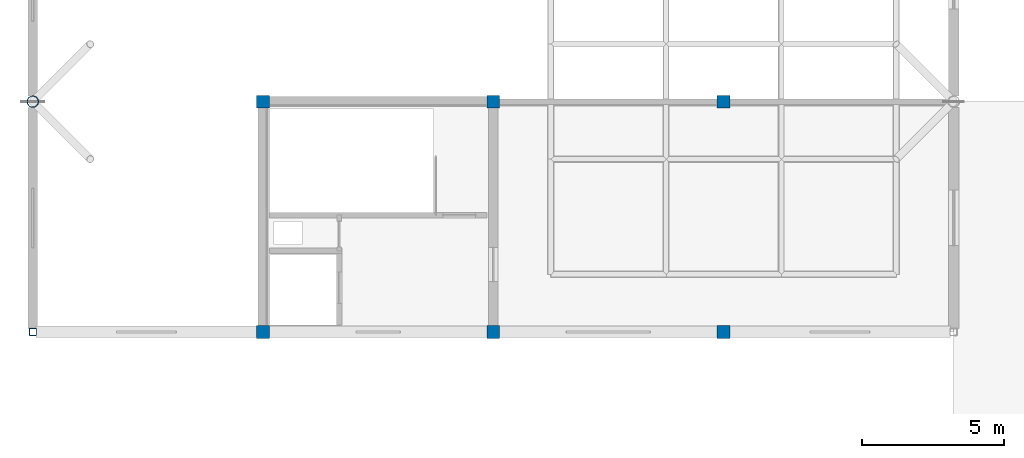
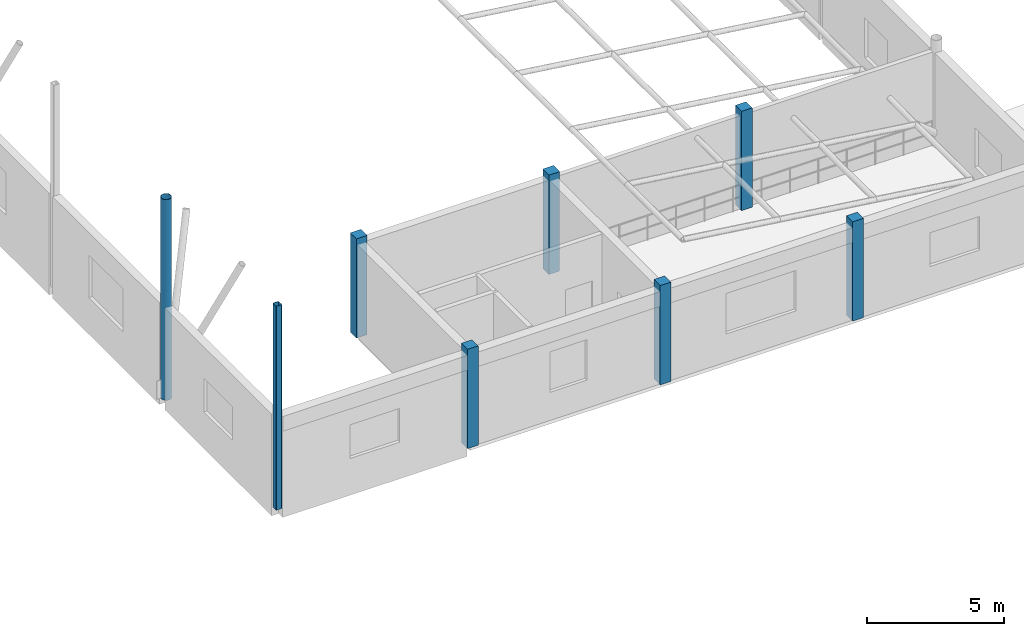
# One storey, part 2 of 89: 8 columns.
"""IFC4 building model written with IfcOpenShell, lengths in metres."""

from ifc_helpers import new_model, si_unit, direction, frame, origin, origin_2d, place, context, subcontext, project, spatial, rectangle, hollow_rectangle, hollow_circle, extrude, material, material_profile, profile_set, type_object, element, save


model = new_model("IFC4")

# Units and contexts
model_context = context("Model", 3, precision=1e-05, world=origin(), true_north=direction((0.0, 1.0)))
body_context = subcontext(model_context, "Body", "Model", "MODEL_VIEW")
ifc_project = project(units=[si_unit("LENGTHUNIT", "METRE"), si_unit("AREAUNIT", "SQUARE_METRE"), si_unit("VOLUMEUNIT", "CUBIC_METRE"), si_unit("PLANEANGLEUNIT", "RADIAN"), si_unit("MASSUNIT", "GRAM", prefix="KILO")], contexts=[model_context])

# Site, building, storey
site_placement = place(None, origin())
site = spatial("IfcSite", under=ifc_project, at=site_placement, CompositionType="ELEMENT")
building_placement = place(site_placement, origin())
building = spatial("IfcBuilding", under=site, at=building_placement, Name="Vaudrelin Polytechnic", CompositionType="ELEMENT")
storey_placement = place(building_placement, frame((0.0, 0.0, 9.68994140625)))
storey = spatial("IfcBuildingStorey", under=building, at=storey_placement, Name="L02", CompositionType="ELEMENT", Elevation=9.68994140625)

# Columns
ifc_material_1 = material(Name="Steel CSA G40.21 350W", Category="steel")
ifc_material_profile_1 = material_profile(ifc_material_1, hollow_rectangle(XDim=0.25390625, YDim=0.25390625, WallThickness=0.0126953125, InnerFilletRadius=0.0126953125, OuterFilletRadius=0.025390625, at=origin_2d()), Name="HSS254x254x12.7")
ifc_profile_set_1 = profile_set([ifc_material_profile_1], Name="Steel CSA G40.21 350W")
column_type_1 = type_object("IfcColumnType", Name="COL-C-HSS254", PredefinedType="COLUMN", material=ifc_profile_set_1)
column_1_placement = place(storey_placement, frame((0.0, 40.5, 0.0), z_axis=(0.0, 0.0, 1.0), x_axis=(1.0, 0.0, 0.0)))
element("IfcColumn", 1, at=column_1_placement, inside=storey, type_object=column_type_1, Name="Workshop roof perimeter post 0-5", PredefinedType="COLUMN", context=body_context, shape_type="SweptSolid", body=[
    extrude(hollow_rectangle(XDim=0.25390625, YDim=0.25390625, WallThickness=0.0126953125, InnerFilletRadius=0.0126953125, OuterFilletRadius=0.025390625, at=origin_2d()), origin(), (0.0, 0.0, 1.0), 9.065673828125),
])
ifc_material_2 = material(Name="Concrete 40 MPa", Category="concrete")
ifc_material_profile_2 = material_profile(ifc_material_2, rectangle(XDim=0.449951171875, YDim=0.449951171875, at=origin_2d()), Name="RC450x450")
ifc_profile_set_2 = profile_set([ifc_material_profile_2], Name="Concrete 40 MPa")
column_type_2 = type_object("IfcColumnType", Name="COL-C-RC450", PredefinedType="COLUMN", material=ifc_profile_set_2)
for number, where, z_axis, x_axis, name in (
    (2, (8.10009765625, 40.5, 0.0), (0.0, 0.0, 1.0), (1.0, 0.0, 0.0), "Column L02 2-6"),
    (3, (8.10009765625, 48.60009765625, 0.0), (0.0, 0.0, 1.0), (1.0, 0.0, 0.0), "Column L02 2-7"),
    (4, (16.199951171875, 40.5, 0.0), (0.0, 0.0, 1.0), (1.0, 0.0, 0.0), "Column L02 3-6"),
    (5, (16.199951171875, 48.60009765625, 0.0), (0.0, 0.0, 1.0), (1.0, 0.0, 0.0), "Column L02 3-7"),
    (6, (24.300048828125, 40.5, 0.0), (0.0, 0.0, 1.0), (1.0, 0.0, 0.0), "Column L02 4-6"),
    (7, (24.300048828125, 48.60009765625, 0.0), (0.0, 0.0, 1.0), (1.0, 0.0, 0.0), "Column L02 4-7"),
):
    element("IfcColumn", number, at=place(storey_placement, frame(where, z_axis=z_axis, x_axis=x_axis)), inside=storey, type_object=column_type_2, Name=name, PredefinedType="COLUMN", context=body_context, shape_type="SweptSolid", body=[
        extrude(rectangle(XDim=0.449951171875, YDim=0.449951171875, at=origin_2d()), origin(), (0.0, 0.0, 1.0), 4.420166015625),
    ])
ifc_material_3 = material(Name="Steel CSA G40.21 350WT", Category="steel")
ifc_material_profile_3 = material_profile(ifc_material_3, hollow_circle(Radius=0.203125, WallThickness=0.015869140625, at=origin_2d()), Name="CHS406.4x15.9")
ifc_profile_set_3 = profile_set([ifc_material_profile_3], Name="Steel CSA G40.21 350WT")
column_type_3 = type_object("IfcColumnType", Name="COL-C-TR406", PredefinedType="COLUMN", material=ifc_profile_set_3)
column_2_placement = place(storey_placement, frame((0.0, 48.60009765625, 0.0), z_axis=(0.0, 0.0, 1.0), x_axis=(1.0, 0.0, 0.0)))
element("IfcColumn", 8, at=column_2_placement, inside=storey, type_object=column_type_3, Name="Space frame expressed tree stem 1", PredefinedType="COLUMN", context=body_context, shape_type="SweptSolid", body=[
    extrude(hollow_circle(Radius=0.203125, WallThickness=0.015869140625, at=origin_2d()), origin(), (0.0, 0.0, 1.0), 8.925537109375),
])

save(model, "model.ifc")
